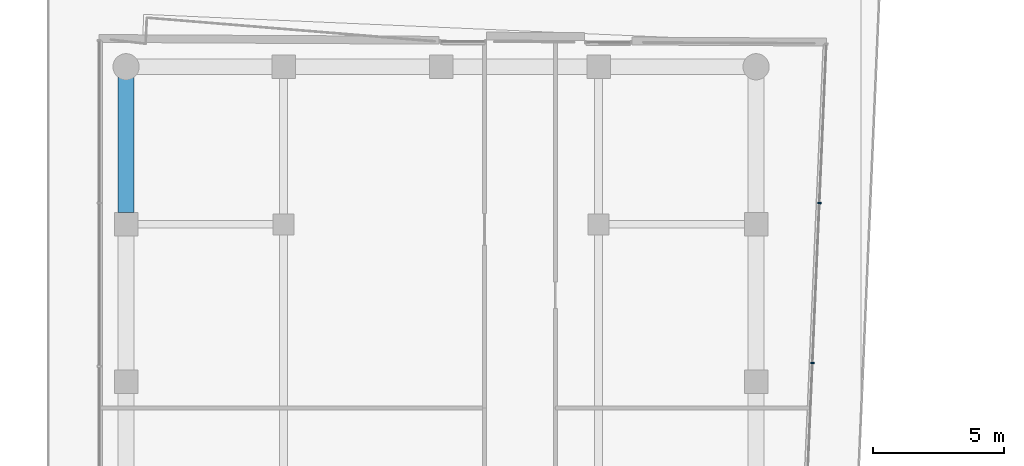
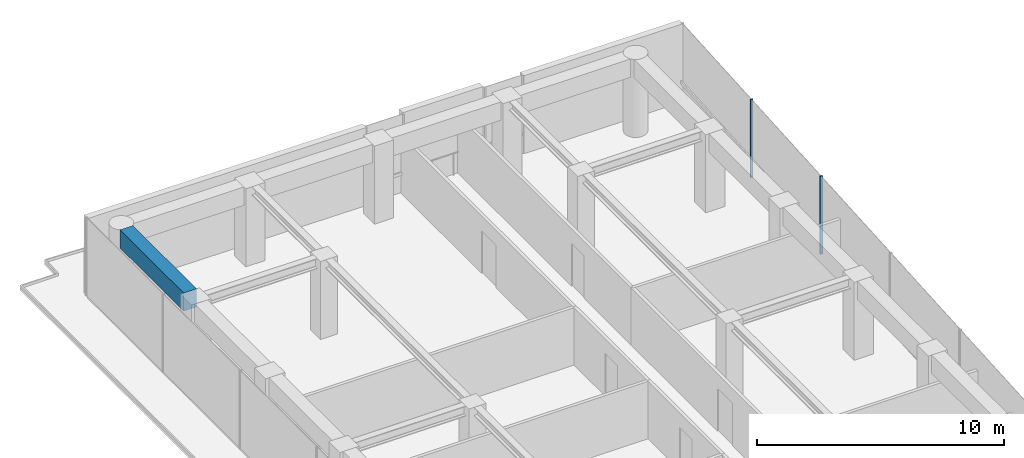
# One storey, part 17 of 25: 2 members, 1 beam, 1 element without a shape of its own.
"""IFC4 building model written with IfcOpenShell, lengths in metres."""

from ifc_helpers import new_model, si_unit, direction, frame, origin, origin_2d, place, context, subcontext, project, spatial, rectangle, extrude, material, layer, layer_set, material_profile, profile_set, type_object, element, aggregate, save


model = new_model("IFC4")

# Units and contexts
model_context = context("Model", 3, precision=1e-05, world=origin(), true_north=direction((0.0, 1.0)))
body_context = subcontext(model_context, "Body", "Model", "MODEL_VIEW")
ifc_project = project(units=[si_unit("LENGTHUNIT", "METRE"), si_unit("AREAUNIT", "SQUARE_METRE"), si_unit("VOLUMEUNIT", "CUBIC_METRE"), si_unit("PLANEANGLEUNIT", "RADIAN"), si_unit("MASSUNIT", "GRAM", prefix="KILO")], contexts=[model_context])

# Site, building, storey
site_placement = place(None, origin())
site = spatial("IfcSite", under=ifc_project, at=site_placement, CompositionType="ELEMENT")
building_placement = place(site_placement, origin())
building = spatial("IfcBuilding", under=site, at=building_placement, Name="Welwitschia Terrace Campus", CompositionType="ELEMENT")
storey_placement = place(building_placement, frame((0.0, 0.0, 121.39990234375)))
storey = spatial("IfcBuildingStorey", under=building, at=storey_placement, Name="L27", CompositionType="ELEMENT", Elevation=121.39990234375)

# Curtain wall, members
ifc_material_1 = material(Name="Bronze anodised aluminium", Category="aluminium")
ifc_layer = layer(ifc_material_1, 0.1201171875)
ifc_layer_set = layer_set([ifc_layer], Name="Bronze anodised aluminium")
curtain_wall_type = type_object("IfcCurtainWallType", Name="Curtain wall CW2 tower 6000", PredefinedType="NOTDEFINED", material=ifc_layer_set)
curtain_wall_placement = place(storey_placement, origin())
curtain_wall = element("IfcCurtainWall", 1, at=curtain_wall_placement, inside=storey, type_object=curtain_wall_type, Name="CW L27.10.0", PredefinedType="NOTDEFINED")
ifc_material_2 = material(Name="Bronze anodised aluminium", Category="aluminium")
ifc_material_profile_1 = material_profile(ifc_material_2, rectangle(XDim=0.1201171875, YDim=0.06005859375, at=origin_2d()))
ifc_profile_set_1 = profile_set([ifc_material_profile_1], Name="Bronze anodised aluminium")
member_type = type_object("IfcMemberType", Name="Mullion 60x120", PredefinedType="MULLION", material=ifc_profile_set_1)
member_1_placement = place(storey_placement, frame((26.147216796875, 58.718505859375, 0.0), z_axis=(0.0, 0.0, 1.0), x_axis=(-0.999048221582, 0.043619387365, 0.0)))
member_1 = element("IfcMember", 2, at=member_1_placement, type_object=member_type, Name="Mullion L27.10.0.4", PredefinedType="MULLION", context=body_context, shape_type="SweptSolid", body=[
    extrude(rectangle(XDim=0.1201171875, YDim=0.06005859375, at=origin_2d()), origin(), (0.0, 0.0, 1.0), 3.85009765625),
])
member_2_placement = place(storey_placement, frame((26.4130859375, 64.804931640625, 0.0), z_axis=(0.0, 0.0, 1.0), x_axis=(-0.999048221582, 0.043619387365, 0.0)))
member_2 = element("IfcMember", 3, at=member_2_placement, type_object=member_type, Name="Mullion L27.10.0.5", PredefinedType="MULLION", context=body_context, shape_type="SweptSolid", body=[
    extrude(rectangle(XDim=0.1201171875, YDim=0.06005859375, at=origin_2d()), origin(), (0.0, 0.0, 1.0), 3.85009765625),
])
aggregate(curtain_wall, [member_1, member_2])

# Beam
ifc_material_3 = material(Name="Concrete C60/75", Category="concrete")
ifc_material_profile_2 = material_profile(ifc_material_3, rectangle(XDim=0.60009765625, YDim=0.89990234375, at=origin_2d()))
ifc_profile_set_2 = profile_set([ifc_material_profile_2], Name="Concrete C60/75")
beam_type = type_object("IfcBeamType", Name="Ring spandrel 600x900", PredefinedType="SPANDREL", material=ifc_profile_set_2)
beam_placement = place(storey_placement, frame((0.0, 69.599609375, 3.400146484375), z_axis=(0.0, -1.0, 0.0), x_axis=(1.0, 0.0, 0.0)))
element("IfcBeam", 4, at=beam_placement, inside=storey, type_object=beam_type, Name="Spandrel SP2", PredefinedType="SPANDREL", context=body_context, shape_type="SweptSolid", body=[
    extrude(rectangle(XDim=0.60009765625, YDim=0.89990234375, at=origin_2d()), origin(), (0.0, 0.0, 1.0), 5.149169921875),
])

save(model, "model.ifc")
